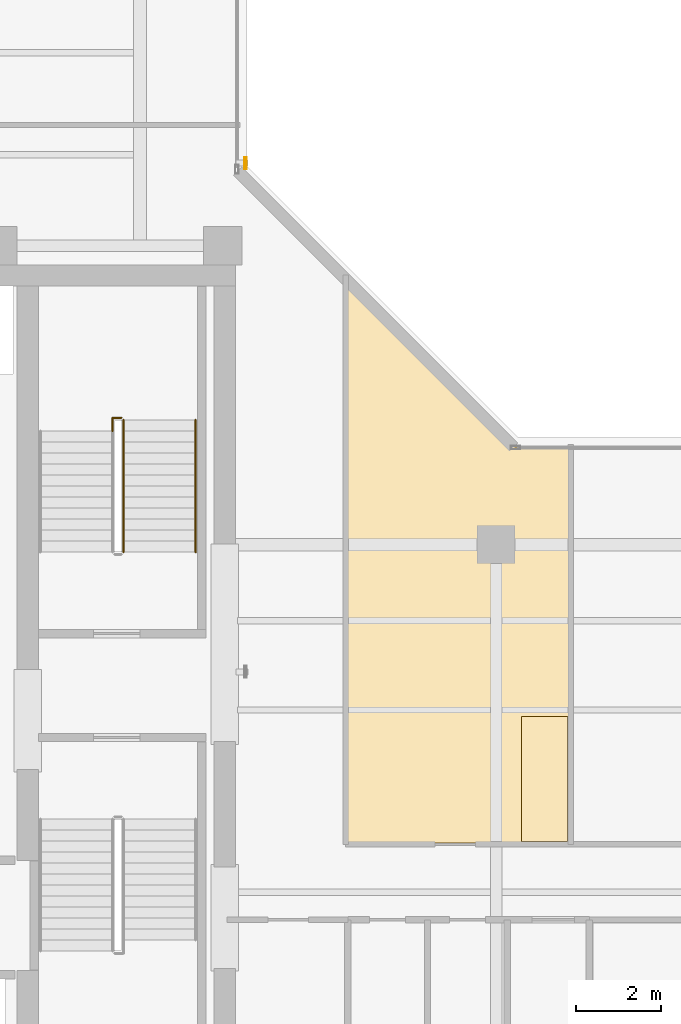
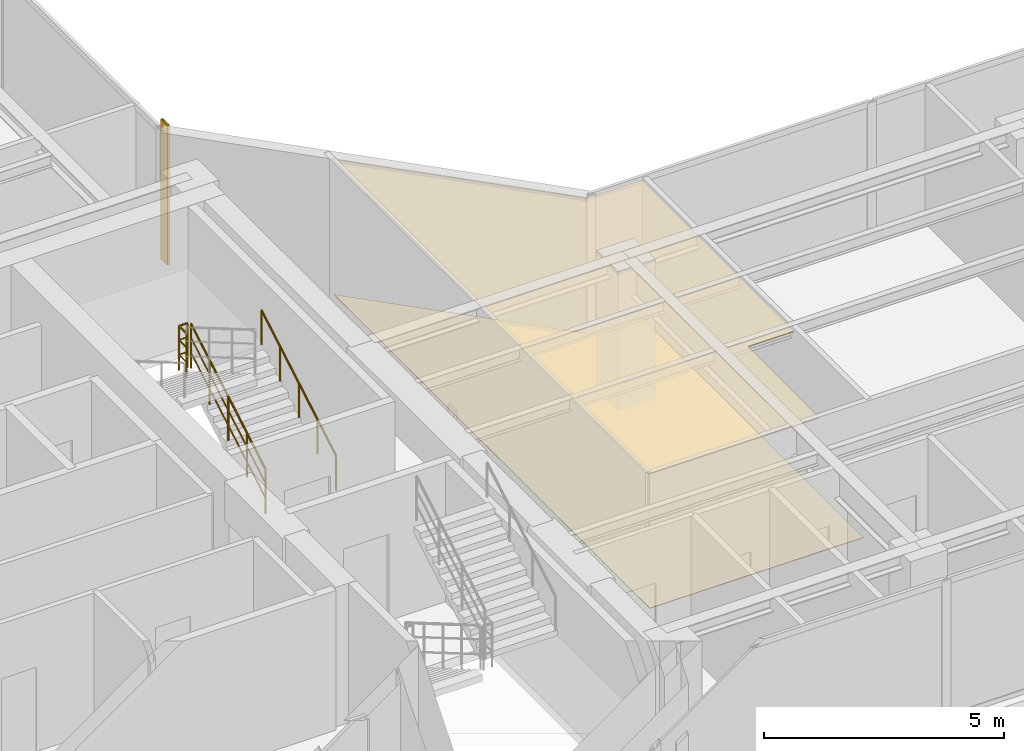
# One storey, part 21 of 23: 3 railings, 2 coverings, 1 shading device.
"""IFC4 building model written with IfcOpenShell, lengths in metres."""

from ifc_helpers import new_model, si_unit, direction, frame, origin, origin_2d, place, context, subcontext, project, spatial, polyline, hollow_rectangle, circle, outline, extrude, material, layer, layer_set, material_profile, profile_set, type_object, element, save


model = new_model("IFC4")

# Units and contexts
model_context = context("Model", 3, precision=1e-05, world=origin(), true_north=direction((0.0, 1.0)))
body_context = subcontext(model_context, "Body", "Model", "MODEL_VIEW")
ifc_project = project(units=[si_unit("LENGTHUNIT", "METRE"), si_unit("AREAUNIT", "SQUARE_METRE"), si_unit("VOLUMEUNIT", "CUBIC_METRE"), si_unit("PLANEANGLEUNIT", "RADIAN"), si_unit("MASSUNIT", "GRAM", prefix="KILO")], contexts=[model_context])

# Site, building, storey
site_placement = place(None, origin())
site = spatial("IfcSite", under=ifc_project, at=site_placement, CompositionType="ELEMENT")
building_placement = place(site_placement, origin())
building = spatial("IfcBuilding", under=site, at=building_placement, Name="Kolvaren Waterfront Exchange", CompositionType="ELEMENT")
storey_placement = place(building_placement, frame((0.0, 0.0, 289.39990234375)))
storey = spatial("IfcBuildingStorey", under=building, at=storey_placement, Name="L74", CompositionType="ELEMENT", Elevation=289.39990234375)

# Covering
ifc_material_1 = material(Name="Mineral fibre acoustic ceiling tile")
ifc_layer_1 = layer(ifc_material_1, 0.02490234375, Name="Mineral fibre acoustic ceiling tile")
ifc_layer_set_1 = layer_set([ifc_layer_1], Name="Mineral fibre acoustic ceiling tile")
covering_type_1 = type_object("IfcCoveringType", Name="ARC-CEIL-ACOUSTIC-25", PredefinedType="CEILING", material=ifc_layer_set_1)
covering_1_placement = place(storey_placement, frame((0.0, 0.0, 3.445068359375)))
element("IfcCovering", 1, at=covering_1_placement, inside=storey, type_object=covering_type_1, Name="L74 acoustic suspended ceiling 3", PredefinedType="CEILING", context=body_context, shape_type="SweptSolid", body=[
    extrude(outline(polyline([(27.63525390625, 19.706298828125), (23.695068359375, 23.646484375), (23.695068359375, 10.364990234375), (27.800048828125, 10.364990234375), (27.800048828125, 13.35009765625), (28.9150390625, 13.35009765625), (28.9150390625, 19.706298828125), (27.63525390625, 19.706298828125)])), origin(), (0.0, 0.0, 1.0), 0.025146484375),
])

# Shading device
ifc_material_2 = material(Name="Anodised bronze aluminium 6063-T6", Category="aluminium")
ifc_material_profile = material_profile(ifc_material_2, hollow_rectangle(XDim=0.054931640625, YDim=0.280029296875, WallThickness=0.00439453125, at=origin_2d()), Name="BRZ-FIN-280x55x4.5")
ifc_profile_set = profile_set([ifc_material_profile], Name="Anodised bronze aluminium 6063-T6")
shading_device_type = type_object("IfcShadingDeviceType", Name="ARC-FIN-280", PredefinedType="USERDEFINED", material=ifc_profile_set)
shading_device_placement = place(storey_placement, frame((21.286376953125, 26.39990234375, 0.0), z_axis=(0.0, 0.0, 1.0), x_axis=(1.0, 0.0, 0.0)))
element("IfcShadingDevice", 2, at=shading_device_placement, inside=storey, type_object=shading_device_type, Name="L74 anodised bronze solar shading fin FIN-L74-E2", ObjectType="SOLAR FIN", PredefinedType="USERDEFINED", context=body_context, shape_type="SweptSolid", body=[
    extrude(hollow_rectangle(XDim=0.054931640625, YDim=0.280029296875, WallThickness=0.00439453125, at=origin_2d()), origin(), (0.0, 0.0, 1.0), 3.56005859375),
])

# Covering
ifc_material_3 = material(Name="Slip-resistant porcelain tile")
ifc_layer_2 = layer(ifc_material_3, 0.014892578125, Name="Slip-resistant porcelain tile")
ifc_layer_set_2 = layer_set([ifc_layer_2], Name="Slip-resistant porcelain tile")
covering_type_2 = type_object("IfcCoveringType", Name="ARC-FLR-PORC-15", PredefinedType="FLOORING", material=ifc_layer_set_2)
covering_2_placement = place(storey_placement, origin())
element("IfcCovering", 3, at=covering_2_placement, inside=storey, type_object=covering_type_2, Name="L74 floor finish 3", PredefinedType="FLOORING", context=body_context, shape_type="SweptSolid", body=[
    extrude(outline(polyline([(23.72998046875, 10.39990234375), (28.8798828125, 10.39990234375), (28.8798828125, 19.686279296875), (27.726318359375, 19.686279296875), (27.702880859375, 19.6875), (27.679443359375, 19.69091796875), (27.656494140625, 19.696533203125), (27.634521484375, 19.70458984375), (27.61328125, 19.714599609375), (27.593017578125, 19.726806640625), (27.573974609375, 19.74072265625), (27.556640625, 19.756591796875), (23.72998046875, 23.583251953125), (23.72998046875, 10.39990234375)])), origin(), (0.0, 0.0, 1.0), 0.01513671875),
])

# Railings
ifc_material_4 = material(Name="Stainless steel 316", Category="steel")
railing_type_1 = type_object("IfcRailingType", Name="ARC-GUARD-STAIR", PredefinedType="GUARDRAIL", material=ifc_material_4)
railing_1_placement = place(storey_placement, frame((18.409912109375, 17.219970703125, 0.152099609375)))
element("IfcRailing", 4, at=railing_1_placement, inside=storey, type_object=railing_type_1, Name="L74 ST2 stair guard 1", PredefinedType="GUARDRAIL", context=body_context, shape_type="SweptSolid", body=[
    extrude(circle(Radius=0.02392578125, at=origin_2d()), frame((0.0, 0.0, 1.1259765625), z_axis=(0.0, 0.86330811405, 0.504677223793), x_axis=(-1.0, 0.0, 0.0)), (0.0, 0.0, 1.0), 3.6142578125),
    extrude(circle(Radius=0.01611328125, at=origin_2d()), frame((0.0, 0.0, 0.390869140625), z_axis=(0.0, 0.86330811405, 0.504677223793), x_axis=(-1.0, 0.0, 0.0)), (0.0, 0.0, 1.0), 3.6142578125),
    extrude(circle(Radius=0.01611328125, at=origin_2d()), frame((0.0, 0.0, 0.7705078125), z_axis=(0.0, 0.86330811405, 0.504677223793), x_axis=(-1.0, 0.0, 0.0)), (0.0, 0.0, 1.0), 3.6142578125),
    extrude(circle(Radius=0.02099609375, at=origin_2d()), origin(), (0.0, 0.0, 1.0), 1.101806640625),
    extrude(circle(Radius=0.02099609375, at=origin_2d()), frame((0.0, 0.780029296875, 0.4560546875)), (0.0, 0.0, 1.0), 1.101806640625),
    extrude(circle(Radius=0.02099609375, at=origin_2d()), frame((0.0, 1.56005859375, 0.912109375)), (0.0, 0.0, 1.0), 1.101806640625),
    extrude(circle(Radius=0.02099609375, at=origin_2d()), frame((0.0, 2.340087890625, 1.367919921875)), (0.0, 0.0, 1.0), 1.101806640625),
    extrude(circle(Radius=0.02099609375, at=origin_2d()), frame((0.0, 3.1201171875, 1.823974609375)), (0.0, 0.0, 1.0), 1.101806640625),
])
railing_2_placement = place(storey_placement, frame((18.360107421875, 20.389892578125, 1.97607421875)))
element("IfcRailing", 5, at=railing_2_placement, inside=storey, type_object=railing_type_1, Name="L74 ST2 stair guard 2", PredefinedType="GUARDRAIL", context=body_context, shape_type="SweptSolid", body=[
    extrude(circle(Radius=0.02392578125, at=origin_2d()), frame((0.0, 0.0, 1.1259765625), z_axis=(-1.0, 0.0, 0.0), x_axis=(0.0, -1.0, 0.0)), (0.0, 0.0, 1.0), 0.210205078125),
    extrude(circle(Radius=0.01611328125, at=origin_2d()), frame((0.0, 0.0, 0.390869140625), z_axis=(-1.0, 0.0, 0.0), x_axis=(0.0, -1.0, 0.0)), (0.0, 0.0, 1.0), 0.210205078125),
    extrude(circle(Radius=0.01611328125, at=origin_2d()), frame((0.0, 0.0, 0.7705078125), z_axis=(-1.0, 0.0, 0.0), x_axis=(0.0, -1.0, 0.0)), (0.0, 0.0, 1.0), 0.210205078125),
    extrude(circle(Radius=0.02392578125, at=origin_2d()), frame((-0.210205078125, 0.0, 1.1259765625), z_axis=(0.0, -1.0, 0.0), x_axis=(1.0, 0.0, 0.0)), (0.0, 0.0, 1.0), 0.309814453125),
    extrude(circle(Radius=0.01611328125, at=origin_2d()), frame((-0.210205078125, 0.0, 0.390869140625), z_axis=(0.0, -1.0, 0.0), x_axis=(1.0, 0.0, 0.0)), (0.0, 0.0, 1.0), 0.309814453125),
    extrude(circle(Radius=0.01611328125, at=origin_2d()), frame((-0.210205078125, 0.0, 0.7705078125), z_axis=(0.0, -1.0, 0.0), x_axis=(1.0, 0.0, 0.0)), (0.0, 0.0, 1.0), 0.309814453125),
    extrude(circle(Radius=0.02099609375, at=origin_2d()), origin(), (0.0, 0.0, 1.0), 1.101806640625),
    extrude(circle(Radius=0.02099609375, at=origin_2d()), frame((-0.210205078125, 0.0, 0.0)), (0.0, 0.0, 1.0), 1.101806640625),
    extrude(circle(Radius=0.02099609375, at=origin_2d()), frame((-0.210205078125, -0.309814453125, 0.0)), (0.0, 0.0, 1.0), 1.101806640625),
])
railing_type_2 = type_object("IfcRailingType", Name="ARC-HANDRAIL-900", PredefinedType="HANDRAIL", material=ifc_material_4)
railing_3_placement = place(storey_placement, frame((20.110107421875, 17.219970703125, 0.152099609375)))
element("IfcRailing", 6, at=railing_3_placement, inside=storey, type_object=railing_type_2, Name="L74 ST2 stair handrail 1", PredefinedType="HANDRAIL", context=body_context, shape_type="SweptSolid", body=[
    extrude(circle(Radius=0.02392578125, at=origin_2d()), frame((0.0, 0.0, 0.8759765625), z_axis=(0.0, 0.86330811405, 0.504677223793), x_axis=(-1.0, 0.0, 0.0)), (0.0, 0.0, 1.0), 3.6142578125),
    extrude(circle(Radius=0.02099609375, at=origin_2d()), origin(), (0.0, 0.0, 1.0), 0.851806640625),
    extrude(circle(Radius=0.02099609375, at=origin_2d()), frame((0.0, 0.780029296875, 0.4560546875)), (0.0, 0.0, 1.0), 0.851806640625),
    extrude(circle(Radius=0.02099609375, at=origin_2d()), frame((0.0, 1.56005859375, 0.912109375)), (0.0, 0.0, 1.0), 0.851806640625),
    extrude(circle(Radius=0.02099609375, at=origin_2d()), frame((0.0, 2.340087890625, 1.367919921875)), (0.0, 0.0, 1.0), 0.851806640625),
    extrude(circle(Radius=0.02099609375, at=origin_2d()), frame((0.0, 3.1201171875, 1.823974609375)), (0.0, 0.0, 1.0), 0.851806640625),
])

save(model, "model.ifc")
